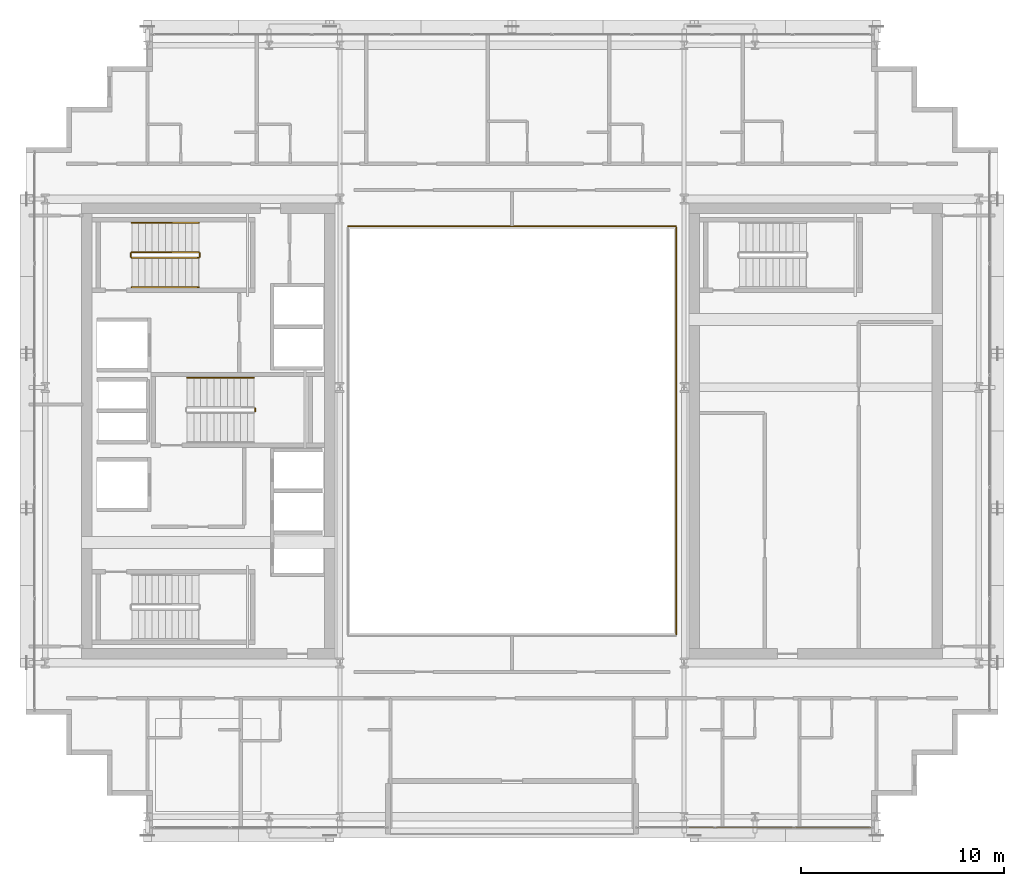
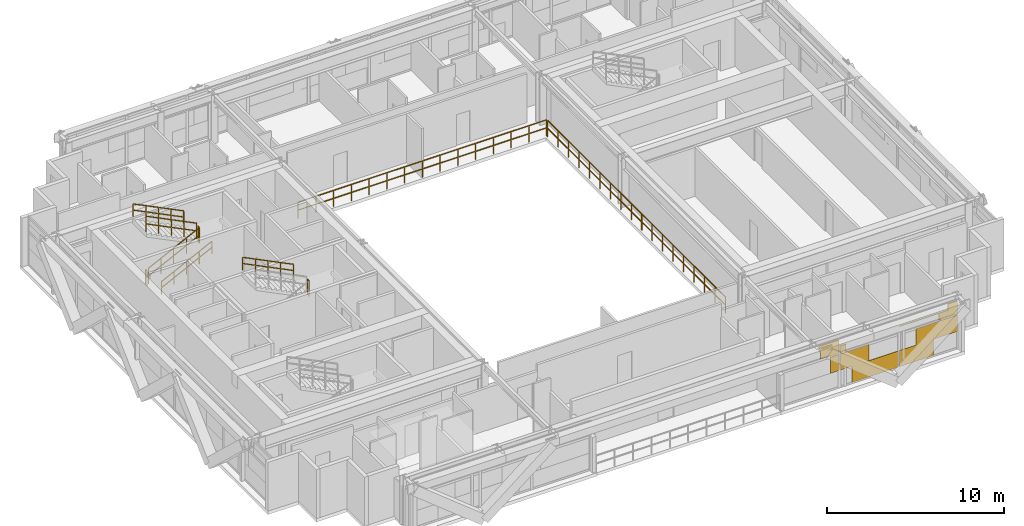
# One storey, part 30 of 32: 10 railings, 1 covering.
"""IFC4 building model written with IfcOpenShell, lengths in metres."""

from ifc_helpers import new_model, si_unit, direction, frame, origin, origin_2d, place, context, subcontext, project, spatial, rectangle, extrude, material, layer, layer_set, type_object, element, save


model = new_model("IFC4")

# Units and contexts
model_context = context("Model", 3, precision=1e-05, world=origin(), true_north=direction((0.0, 1.0)))
body_context = subcontext(model_context, "Body", "Model", "MODEL_VIEW")
ifc_project = project(units=[si_unit("LENGTHUNIT", "METRE"), si_unit("AREAUNIT", "SQUARE_METRE"), si_unit("VOLUMEUNIT", "CUBIC_METRE"), si_unit("PLANEANGLEUNIT", "RADIAN"), si_unit("MASSUNIT", "GRAM", prefix="KILO")], contexts=[model_context])

# Site, building, storey
site_placement = place(None, origin())
site = spatial("IfcSite", under=ifc_project, at=site_placement, CompositionType="ELEMENT")
building_placement = place(site_placement, origin())
building = spatial("IfcBuilding", under=site, at=building_placement, Name="Ocotamira Hotel", CompositionType="ELEMENT")
storey_placement = place(building_placement, frame((0.0, 0.0, 206.39990234375)))
storey = spatial("IfcBuildingStorey", under=building, at=storey_placement, Name="L52", CompositionType="ELEMENT", Elevation=206.39990234375)

# Covering
ifc_material_1 = material(Name="Insulated pale-metal aluminium spandrel panel", Category="aluminium")
ifc_layer = layer(ifc_material_1, 0.044921875)
ifc_layer_set = layer_set([ifc_layer], Name="Insulated pale-metal aluminium spandrel panel")
covering_type = type_object("IfcCoveringType", Name="COV-INFILL-45", PredefinedType="CLADDING", material=ifc_layer_set)
covering_placement = place(storey_placement, origin())
element("IfcCovering", 1, at=covering_placement, inside=storey, type_object=covering_type, Name="L52 Curtain Wall Infill CW-4 CW-L52-S2", PredefinedType="CLADDING", context=body_context, shape_type="SweptSolid", body=[
    extrude(rectangle(XDim=0.543212890625, YDim=0.044921875, at=origin_2d()), frame((41.72119140625, 6.419921875, 1.1943359375), z_axis=(0.0, 0.0, 1.0), x_axis=(1.0, 0.0, 0.0)), (0.0, 0.0, 1.0), 1.117919921875),
    extrude(rectangle(XDim=1.23046875, YDim=0.044921875, at=origin_2d()), frame((41.377685546875, 6.419921875, 2.83154296875), z_axis=(0.0, 0.0, 1.0), x_axis=(1.0, 0.0, 0.0)), (0.0, 0.0, 1.0), 0.462890625),
    extrude(rectangle(XDim=1.19140625, YDim=0.044921875, at=origin_2d()), frame((41.397216796875, 6.419921875, 2.38818359375), z_axis=(0.0, 0.0, 1.0), x_axis=(1.0, 0.0, 0.0)), (0.0, 0.0, 1.0), 0.442626953125),
    extrude(rectangle(XDim=1.893798828125, YDim=0.044921875, at=origin_2d()), frame((43.020751953125, 6.419921875, 1.1943359375), z_axis=(0.0, 0.0, 1.0), x_axis=(1.0, 0.0, 0.0)), (0.0, 0.0, 1.0), 1.117919921875),
    extrude(rectangle(XDim=3.028076171875, YDim=0.044921875, at=origin_2d()), frame((44.362060546875, 6.419921875, 0.07568359375), z_axis=(0.0, 0.0, 1.0), x_axis=(1.0, 0.0, 0.0)), (0.0, 0.0, 1.0), 1.117919921875),
    extrude(rectangle(XDim=0.401611328125, YDim=0.044921875, at=origin_2d()), frame((42.274658203125, 6.419921875, 2.38818359375), z_axis=(0.0, 0.0, 1.0), x_axis=(1.0, 0.0, 0.0)), (0.0, 0.0, 1.0), 0.473876953125),
    extrude(rectangle(XDim=2.19482421875, YDim=0.044921875, at=origin_2d()), frame((47.0546875, 6.419921875, 0.07568359375), z_axis=(0.0, 0.0, 1.0), x_axis=(1.0, 0.0, 0.0)), (0.0, 0.0, 1.0), 1.117919921875),
    extrude(rectangle(XDim=2.68701171875, YDim=0.044921875, at=origin_2d()), frame((48.3759765625, 6.419921875, 1.1943359375), z_axis=(0.0, 0.0, 1.0), x_axis=(1.0, 0.0, 0.0)), (0.0, 0.0, 1.0), 1.117919921875),
    extrude(rectangle(XDim=3.76220703125, YDim=0.044921875, at=origin_2d()), frame((47.83837890625, 6.419921875, 2.83154296875), z_axis=(0.0, 0.0, 1.0), x_axis=(1.0, 0.0, 0.0)), (0.0, 0.0, 1.0), 0.0302734375),
    extrude(rectangle(XDim=1.19482421875, YDim=0.044921875, at=origin_2d()), frame((49.1220703125, 6.419921875, 2.38818359375), z_axis=(0.0, 0.0, 1.0), x_axis=(1.0, 0.0, 0.0)), (0.0, 0.0, 1.0), 0.442626953125),
    extrude(rectangle(XDim=0.601318359375, YDim=0.044921875, at=origin_2d()), frame((49.418701171875, 6.419921875, 2.863037109375), z_axis=(0.0, 0.0, 1.0), x_axis=(1.0, 0.0, 0.0)), (0.0, 0.0, 1.0), 0.431640625),
])

# Railings
ifc_material_2 = material(Name="Painted steel stair guardrail", Category="steel")
railing_type_1 = type_object("IfcRailingType", Name="RL-EDGE-1150", PredefinedType="GUARDRAIL", material=ifc_material_2)
railing_1_placement = place(storey_placement, frame((40.1201171875, 15.9599609375, 0.0)))
element("IfcRailing", 2, at=railing_1_placement, inside=storey, type_object=railing_type_1, Name="L52 Central Atrium Edge Guardrail E", PredefinedType="GUARDRAIL", context=body_context, shape_type="SweptSolid", body=[
    extrude(rectangle(XDim=0.048095703125, YDim=0.048095703125, at=origin_2d()), frame((0.0, 0.0, 1.1259765625), z_axis=(0.0, 1.0, 0.0), x_axis=(-1.0, 0.0, 0.0)), (0.0, 0.0, 1.0), 20.080078125),
    extrude(rectangle(XDim=0.048095703125, YDim=0.048095703125, at=origin_2d()), frame((0.0, 0.0, 0.574951171875), z_axis=(0.0, 1.0, 0.0), x_axis=(-1.0, 0.0, 0.0)), (0.0, 0.0, 1.0), 20.080078125),
    extrude(rectangle(XDim=0.0419921875, YDim=0.0419921875, at=origin_2d()), origin(), (0.0, 0.0, 1.0), 1.101806640625),
    extrude(rectangle(XDim=0.0419921875, YDim=0.0419921875, at=origin_2d()), frame((0.0, 1.18115234375, 0.0)), (0.0, 0.0, 1.0), 1.101806640625),
    extrude(rectangle(XDim=0.0419921875, YDim=0.0419921875, at=origin_2d()), frame((0.0, 2.3623046875, 0.0)), (0.0, 0.0, 1.0), 1.101806640625),
    extrude(rectangle(XDim=0.0419921875, YDim=0.0419921875, at=origin_2d()), frame((0.0, 3.54345703125, 0.0)), (0.0, 0.0, 1.0), 1.101806640625),
    extrude(rectangle(XDim=0.0419921875, YDim=0.0419921875, at=origin_2d()), frame((0.0, 4.724609375, 0.0)), (0.0, 0.0, 1.0), 1.101806640625),
    extrude(rectangle(XDim=0.0419921875, YDim=0.0419921875, at=origin_2d()), frame((0.0, 5.906005859375, 0.0)), (0.0, 0.0, 1.0), 1.101806640625),
    extrude(rectangle(XDim=0.0419921875, YDim=0.0419921875, at=origin_2d()), frame((0.0, 7.087158203125, 0.0)), (0.0, 0.0, 1.0), 1.101806640625),
    extrude(rectangle(XDim=0.0419921875, YDim=0.0419921875, at=origin_2d()), frame((0.0, 8.268310546875, 0.0)), (0.0, 0.0, 1.0), 1.101806640625),
    extrude(rectangle(XDim=0.0419921875, YDim=0.0419921875, at=origin_2d()), frame((0.0, 9.449462890625, 0.0)), (0.0, 0.0, 1.0), 1.101806640625),
    extrude(rectangle(XDim=0.0419921875, YDim=0.0419921875, at=origin_2d()), frame((0.0, 10.630615234375, 0.0)), (0.0, 0.0, 1.0), 1.101806640625),
    extrude(rectangle(XDim=0.0419921875, YDim=0.0419921875, at=origin_2d()), frame((0.0, 11.811767578125, 0.0)), (0.0, 0.0, 1.0), 1.101806640625),
    extrude(rectangle(XDim=0.0419921875, YDim=0.0419921875, at=origin_2d()), frame((0.0, 12.992919921875, 0.0)), (0.0, 0.0, 1.0), 1.101806640625),
    extrude(rectangle(XDim=0.0419921875, YDim=0.0419921875, at=origin_2d()), frame((0.0, 14.174072265625, 0.0)), (0.0, 0.0, 1.0), 1.101806640625),
    extrude(rectangle(XDim=0.0419921875, YDim=0.0419921875, at=origin_2d()), frame((0.0, 15.35546875, 0.0)), (0.0, 0.0, 1.0), 1.101806640625),
    extrude(rectangle(XDim=0.0419921875, YDim=0.0419921875, at=origin_2d()), frame((0.0, 16.53662109375, 0.0)), (0.0, 0.0, 1.0), 1.101806640625),
    extrude(rectangle(XDim=0.0419921875, YDim=0.0419921875, at=origin_2d()), frame((0.0, 17.7177734375, 0.0)), (0.0, 0.0, 1.0), 1.101806640625),
    extrude(rectangle(XDim=0.0419921875, YDim=0.0419921875, at=origin_2d()), frame((0.0, 18.89892578125, 0.0)), (0.0, 0.0, 1.0), 1.101806640625),
    extrude(rectangle(XDim=0.0419921875, YDim=0.0419921875, at=origin_2d()), frame((0.0, 20.080078125, 0.0)), (0.0, 0.0, 1.0), 1.101806640625),
])
railing_2_placement = place(storey_placement, frame((40.10009765625, 36.1201171875, 0.0)))
element("IfcRailing", 3, at=railing_2_placement, inside=storey, type_object=railing_type_1, Name="L52 Central Atrium Edge Guardrail N", PredefinedType="GUARDRAIL", context=body_context, shape_type="SweptSolid", body=[
    extrude(rectangle(XDim=0.048095703125, YDim=0.048095703125, at=origin_2d()), frame((0.0, 0.0, 1.1259765625), z_axis=(-1.0, 0.0, 0.0), x_axis=(0.0, -1.0, 0.0)), (0.0, 0.0, 1.0), 16.2001953125),
    extrude(rectangle(XDim=0.048095703125, YDim=0.048095703125, at=origin_2d()), frame((0.0, 0.0, 0.574951171875), z_axis=(-1.0, 0.0, 0.0), x_axis=(0.0, -1.0, 0.0)), (0.0, 0.0, 1.0), 16.2001953125),
    extrude(rectangle(XDim=0.0419921875, YDim=0.0419921875, at=origin_2d()), origin(), (0.0, 0.0, 1.0), 1.101806640625),
    extrude(rectangle(XDim=0.0419921875, YDim=0.0419921875, at=origin_2d()), frame((-1.1572265625, 0.0, 0.0)), (0.0, 0.0, 1.0), 1.101806640625),
    extrude(rectangle(XDim=0.0419921875, YDim=0.0419921875, at=origin_2d()), frame((-2.314208984375, 0.0, 0.0)), (0.0, 0.0, 1.0), 1.101806640625),
    extrude(rectangle(XDim=0.0419921875, YDim=0.0419921875, at=origin_2d()), frame((-3.471435546875, 0.0, 0.0)), (0.0, 0.0, 1.0), 1.101806640625),
    extrude(rectangle(XDim=0.0419921875, YDim=0.0419921875, at=origin_2d()), frame((-4.628662109375, 0.0, 0.0)), (0.0, 0.0, 1.0), 1.101806640625),
    extrude(rectangle(XDim=0.0419921875, YDim=0.0419921875, at=origin_2d()), frame((-5.785888671875, 0.0, 0.0)), (0.0, 0.0, 1.0), 1.101806640625),
    extrude(rectangle(XDim=0.0419921875, YDim=0.0419921875, at=origin_2d()), frame((-6.94287109375, 0.0, 0.0)), (0.0, 0.0, 1.0), 1.101806640625),
    extrude(rectangle(XDim=0.0419921875, YDim=0.0419921875, at=origin_2d()), frame((-8.10009765625, 0.0, 0.0)), (0.0, 0.0, 1.0), 1.101806640625),
    extrude(rectangle(XDim=0.0419921875, YDim=0.0419921875, at=origin_2d()), frame((-9.25732421875, 0.0, 0.0)), (0.0, 0.0, 1.0), 1.101806640625),
    extrude(rectangle(XDim=0.0419921875, YDim=0.0419921875, at=origin_2d()), frame((-10.414306640625, 0.0, 0.0)), (0.0, 0.0, 1.0), 1.101806640625),
    extrude(rectangle(XDim=0.0419921875, YDim=0.0419921875, at=origin_2d()), frame((-11.571533203125, 0.0, 0.0)), (0.0, 0.0, 1.0), 1.101806640625),
    extrude(rectangle(XDim=0.0419921875, YDim=0.0419921875, at=origin_2d()), frame((-12.728759765625, 0.0, 0.0)), (0.0, 0.0, 1.0), 1.101806640625),
    extrude(rectangle(XDim=0.0419921875, YDim=0.0419921875, at=origin_2d()), frame((-13.885986328125, 0.0, 0.0)), (0.0, 0.0, 1.0), 1.101806640625),
    extrude(rectangle(XDim=0.0419921875, YDim=0.0419921875, at=origin_2d()), frame((-15.04296875, 0.0, 0.0)), (0.0, 0.0, 1.0), 1.101806640625),
    extrude(rectangle(XDim=0.0419921875, YDim=0.0419921875, at=origin_2d()), frame((-16.2001953125, 0.0, 0.0)), (0.0, 0.0, 1.0), 1.101806640625),
])
ifc_material_3 = material(Name="Brushed stainless steel handrail", Category="steel")
railing_type_2 = type_object("IfcRailingType", Name="RL-HAND-900", PredefinedType="HANDRAIL", material=ifc_material_3)
railing_3_placement = place(storey_placement, frame((13.22998046875, 33.10009765625, 0.327392578125)))
element("IfcRailing", 4, at=railing_3_placement, inside=storey, type_object=railing_type_2, Name="L52 ST-2 stair handrail 1", PredefinedType="HANDRAIL", context=body_context, shape_type="SweptSolid", body=[
    extrude(rectangle(XDim=0.048095703125, YDim=0.048095703125, at=origin_2d()), frame((0.0, 0.0, 0.8759765625), z_axis=(0.895920123917, 0.0, 0.444215186098), x_axis=(0.0, 1.0, 0.0)), (0.0, 0.0, 1.0), 3.683349609375),
    extrude(rectangle(XDim=0.048095703125, YDim=0.048095703125, at=origin_2d()), frame((0.0, 0.0, 0.449951171875), z_axis=(0.895920123917, 0.0, 0.444215186098), x_axis=(0.0, 1.0, 0.0)), (0.0, 0.0, 1.0), 3.683349609375),
    extrude(rectangle(XDim=0.0419921875, YDim=0.0419921875, at=origin_2d()), origin(), (0.0, 0.0, 1.0), 0.851806640625),
    extrude(rectangle(XDim=0.0419921875, YDim=0.0419921875, at=origin_2d()), frame((0.824951171875, 0.0, 0.4091796875)), (0.0, 0.0, 1.0), 0.851806640625),
    extrude(rectangle(XDim=0.0419921875, YDim=0.0419921875, at=origin_2d()), frame((1.64990234375, 0.0, 0.818115234375)), (0.0, 0.0, 1.0), 0.851806640625),
    extrude(rectangle(XDim=0.0419921875, YDim=0.0419921875, at=origin_2d()), frame((2.47509765625, 0.0, 1.22705078125)), (0.0, 0.0, 1.0), 0.851806640625),
    extrude(rectangle(XDim=0.0419921875, YDim=0.0419921875, at=origin_2d()), frame((3.300048828125, 0.0, 1.63623046875)), (0.0, 0.0, 1.0), 0.851806640625),
])
for number, where, name in (
    (5, (16.530029296875, 36.280029296875, 2.12744140625), "L52 ST-2 stair handrail 2"),
    (6, (19.260009765625, 28.6298828125, 2.12744140625), "L52 ST-3 stair handrail 2"),
):
    element("IfcRailing", number, at=place(storey_placement, frame(where)), inside=storey, type_object=railing_type_2, Name=name, PredefinedType="HANDRAIL", context=body_context, shape_type="SweptSolid", body=[
        extrude(rectangle(XDim=0.048095703125, YDim=0.048095703125, at=origin_2d()), frame((0.0, 0.0, 0.8759765625), z_axis=(-0.895920123917, 0.0, 0.444215186098), x_axis=(0.0, -1.0, 0.0)), (0.0, 0.0, 1.0), 3.683349609375),
        extrude(rectangle(XDim=0.048095703125, YDim=0.048095703125, at=origin_2d()), frame((0.0, 0.0, 0.449951171875), z_axis=(-0.895920123917, 0.0, 0.444215186098), x_axis=(0.0, -1.0, 0.0)), (0.0, 0.0, 1.0), 3.683349609375),
        extrude(rectangle(XDim=0.0419921875, YDim=0.0419921875, at=origin_2d()), origin(), (0.0, 0.0, 1.0), 0.851806640625),
        extrude(rectangle(XDim=0.0419921875, YDim=0.0419921875, at=origin_2d()), frame((-0.824951171875, 0.0, 0.4091796875)), (0.0, 0.0, 1.0), 0.851806640625),
        extrude(rectangle(XDim=0.0419921875, YDim=0.0419921875, at=origin_2d()), frame((-1.64990234375, 0.0, 0.818115234375)), (0.0, 0.0, 1.0), 0.851806640625),
        extrude(rectangle(XDim=0.0419921875, YDim=0.0419921875, at=origin_2d()), frame((-2.47509765625, 0.0, 1.22705078125)), (0.0, 0.0, 1.0), 0.851806640625),
        extrude(rectangle(XDim=0.0419921875, YDim=0.0419921875, at=origin_2d()), frame((-3.300048828125, 0.0, 1.63623046875)), (0.0, 0.0, 1.0), 0.851806640625),
    ])
railing_type_3 = type_object("IfcRailingType", Name="RL-STAIR-1100", PredefinedType="GUARDRAIL", material=ifc_material_2)
railing_4_placement = place(storey_placement, frame((13.22998046875, 34.56005859375, 0.163818359375)))
element("IfcRailing", 7, at=railing_4_placement, inside=storey, type_object=railing_type_3, Name="L52 ST-2 stair guard 1", PredefinedType="GUARDRAIL", context=body_context, shape_type="SweptSolid", body=[
    extrude(rectangle(XDim=0.048095703125, YDim=0.048095703125, at=origin_2d()), frame((0.0, 0.0, 1.076171875), z_axis=(0.895920123917, 0.0, 0.444215186098), x_axis=(0.0, 1.0, 0.0)), (0.0, 0.0, 1.0), 3.683349609375),
    extrude(rectangle(XDim=0.048095703125, YDim=0.048095703125, at=origin_2d()), frame((0.0, 0.0, 0.550048828125), z_axis=(0.895920123917, 0.0, 0.444215186098), x_axis=(0.0, 1.0, 0.0)), (0.0, 0.0, 1.0), 3.683349609375),
    extrude(rectangle(XDim=0.0419921875, YDim=0.0419921875, at=origin_2d()), origin(), (0.0, 0.0, 1.0), 1.052001953125),
    extrude(rectangle(XDim=0.0419921875, YDim=0.0419921875, at=origin_2d()), frame((0.824951171875, 0.0, 0.4091796875)), (0.0, 0.0, 1.0), 1.052001953125),
    extrude(rectangle(XDim=0.0419921875, YDim=0.0419921875, at=origin_2d()), frame((1.64990234375, 0.0, 0.818115234375)), (0.0, 0.0, 1.0), 1.052001953125),
    extrude(rectangle(XDim=0.0419921875, YDim=0.0419921875, at=origin_2d()), frame((2.47509765625, 0.0, 1.22705078125)), (0.0, 0.0, 1.0), 1.052001953125),
    extrude(rectangle(XDim=0.0419921875, YDim=0.0419921875, at=origin_2d()), frame((3.300048828125, 0.0, 1.63623046875)), (0.0, 0.0, 1.0), 1.052001953125),
])
railing_5_placement = place(storey_placement, frame((16.580078125, 34.610107421875, 1.800048828125)))
element("IfcRailing", 8, at=railing_5_placement, inside=storey, type_object=railing_type_3, Name="L52 ST-2 stair guard 2", PredefinedType="GUARDRAIL", context=body_context, shape_type="SweptSolid", body=[
    extrude(rectangle(XDim=0.048095703125, YDim=0.048095703125, at=origin_2d()), frame((0.0, 0.0, 1.076171875), z_axis=(0.0, 1.0, 0.0), x_axis=(-1.0, 0.0, 0.0)), (0.0, 0.0, 1.0), 0.159912109375),
    extrude(rectangle(XDim=0.048095703125, YDim=0.048095703125, at=origin_2d()), frame((0.0, 0.0, 0.550048828125), z_axis=(0.0, 1.0, 0.0), x_axis=(-1.0, 0.0, 0.0)), (0.0, 0.0, 1.0), 0.159912109375),
    extrude(rectangle(XDim=0.0419921875, YDim=0.0419921875, at=origin_2d()), origin(), (0.0, 0.0, 1.0), 1.052001953125),
    extrude(rectangle(XDim=0.0419921875, YDim=0.0419921875, at=origin_2d()), frame((0.0, 0.159912109375, 0.0)), (0.0, 0.0, 1.0), 1.052001953125),
])
railing_6_placement = place(storey_placement, frame((16.530029296875, 34.820068359375, 1.963623046875)))
element("IfcRailing", 9, at=railing_6_placement, inside=storey, type_object=railing_type_3, Name="L52 ST-2 stair guard 3", PredefinedType="GUARDRAIL", context=body_context, shape_type="SweptSolid", body=[
    extrude(rectangle(XDim=0.048095703125, YDim=0.048095703125, at=origin_2d()), frame((0.0, 0.0, 1.076171875), z_axis=(-0.895893744519, 0.0, 0.4442683857), x_axis=(0.0, -1.0, 0.0)), (0.0, 0.0, 1.0), 3.68359375),
    extrude(rectangle(XDim=0.048095703125, YDim=0.048095703125, at=origin_2d()), frame((0.0, 0.0, 0.550048828125), z_axis=(-0.895893744519, 0.0, 0.4442683857), x_axis=(0.0, -1.0, 0.0)), (0.0, 0.0, 1.0), 3.68359375),
    extrude(rectangle(XDim=0.0419921875, YDim=0.0419921875, at=origin_2d()), origin(), (0.0, 0.0, 1.0), 1.052001953125),
    extrude(rectangle(XDim=0.0419921875, YDim=0.0419921875, at=origin_2d()), frame((-0.824951171875, 0.0, 0.4091796875)), (0.0, 0.0, 1.0), 1.052001953125),
    extrude(rectangle(XDim=0.0419921875, YDim=0.0419921875, at=origin_2d()), frame((-1.64990234375, 0.0, 0.818359375)), (0.0, 0.0, 1.0), 1.052001953125),
    extrude(rectangle(XDim=0.0419921875, YDim=0.0419921875, at=origin_2d()), frame((-2.47509765625, 0.0, 1.227294921875)), (0.0, 0.0, 1.0), 1.052001953125),
    extrude(rectangle(XDim=0.0419921875, YDim=0.0419921875, at=origin_2d()), frame((-3.300048828125, 0.0, 1.636474609375)), (0.0, 0.0, 1.0), 1.052001953125),
])
railing_7_placement = place(storey_placement, frame((13.179931640625, 34.610107421875, 0.0)))
element("IfcRailing", 10, at=railing_7_placement, inside=storey, type_object=railing_type_3, Name="L52 ST-2 stair guard 4", PredefinedType="GUARDRAIL", context=body_context, shape_type="SweptSolid", body=[
    extrude(rectangle(XDim=0.048095703125, YDim=0.048095703125, at=origin_2d()), frame((0.0, 0.0, 1.076171875), z_axis=(0.0, 1.0, 0.0), x_axis=(-1.0, 0.0, 0.0)), (0.0, 0.0, 1.0), 0.159912109375),
    extrude(rectangle(XDim=0.048095703125, YDim=0.048095703125, at=origin_2d()), frame((0.0, 0.0, 0.550048828125), z_axis=(0.0, 1.0, 0.0), x_axis=(-1.0, 0.0, 0.0)), (0.0, 0.0, 1.0), 0.159912109375),
    extrude(rectangle(XDim=0.0419921875, YDim=0.0419921875, at=origin_2d()), origin(), (0.0, 0.0, 1.0), 1.052001953125),
    extrude(rectangle(XDim=0.0419921875, YDim=0.0419921875, at=origin_2d()), frame((0.0, 0.159912109375, 0.0)), (0.0, 0.0, 1.0), 1.052001953125),
])
railing_8_placement = place(storey_placement, frame((19.31005859375, 26.9599609375, 1.800048828125)))
element("IfcRailing", 11, at=railing_8_placement, inside=storey, type_object=railing_type_3, Name="L52 ST-3 stair guard 2", PredefinedType="GUARDRAIL", context=body_context, shape_type="SweptSolid", body=[
    extrude(rectangle(XDim=0.048095703125, YDim=0.048095703125, at=origin_2d()), frame((0.0, 0.0, 1.076171875), z_axis=(0.0, 1.0, 0.0), x_axis=(-1.0, 0.0, 0.0)), (0.0, 0.0, 1.0), 0.16015625),
    extrude(rectangle(XDim=0.048095703125, YDim=0.048095703125, at=origin_2d()), frame((0.0, 0.0, 0.550048828125), z_axis=(0.0, 1.0, 0.0), x_axis=(-1.0, 0.0, 0.0)), (0.0, 0.0, 1.0), 0.16015625),
    extrude(rectangle(XDim=0.0419921875, YDim=0.0419921875, at=origin_2d()), origin(), (0.0, 0.0, 1.0), 1.052001953125),
    extrude(rectangle(XDim=0.0419921875, YDim=0.0419921875, at=origin_2d()), frame((0.0, 0.16015625, 0.0)), (0.0, 0.0, 1.0), 1.052001953125),
])

save(model, "model.ifc")
